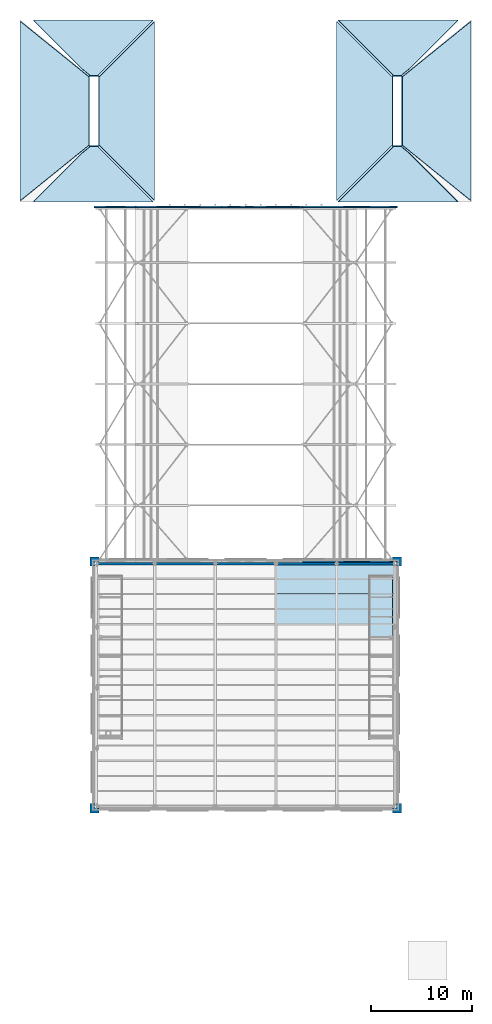
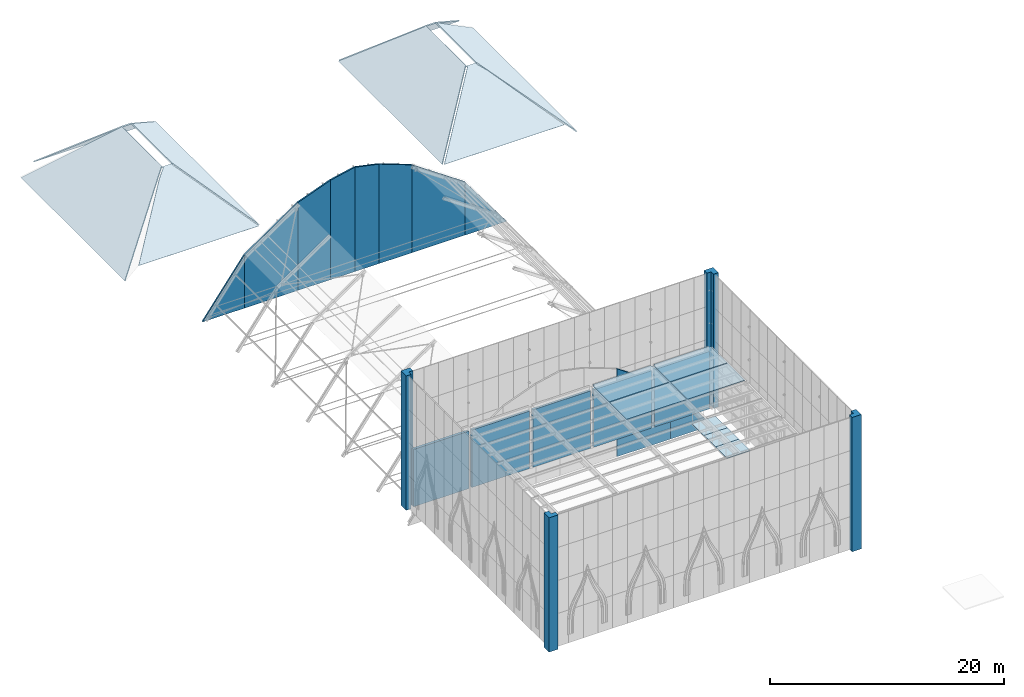
# One storey, part 15 of 43: 15 slabs, 10 plates, 9 walls, 2 elements without a shape of their own.
"""IFC4 building model written with IfcOpenShell, lengths in metres."""

from ifc_helpers import new_model, si_unit, direction, frame, frame_2d, origin, place, context, subcontext, project, spatial, polyline, rectangle, outline, extrude, material, layer, layer_set, type_object, element, aggregate, save


model = new_model("IFC4")

# Units and contexts
model_context = context("Model", 3, precision=1e-05, world=origin(), true_north=direction((0.0, 1.0)))
body_context = subcontext(model_context, "Body", "Model", "MODEL_VIEW")
ifc_project = project(units=[si_unit("LENGTHUNIT", "METRE"), si_unit("AREAUNIT", "SQUARE_METRE"), si_unit("VOLUMEUNIT", "CUBIC_METRE"), si_unit("PLANEANGLEUNIT", "RADIAN"), si_unit("MASSUNIT", "GRAM", prefix="KILO")], contexts=[model_context])

# Site, building, storey
site_placement = place(None, origin())
site = spatial("IfcSite", under=ifc_project, at=site_placement, CompositionType="ELEMENT")
building_placement = place(site_placement, origin())
building = spatial("IfcBuilding", under=site, at=building_placement, Name="Saffron Lane Theatres", CompositionType="ELEMENT")
storey_placement = place(building_placement, frame((0.0, 0.0, 23.0)))
storey = spatial("IfcBuildingStorey", under=building, at=storey_placement, Name="Roof", CompositionType="ELEMENT", Elevation=23.0)

# Slabs
ifc_material_1 = material(Name="Steel Grade 350 chequer plate", Category="steel")
ifc_layer_1 = layer(ifc_material_1, 0.050048828125)
ifc_layer_set_1 = layer_set([ifc_layer_1], Name="Steel Grade 350 chequer plate")
slab_type_1 = type_object("IfcSlabType", Name="ST-GALLERY DECK", PredefinedType="USERDEFINED", material=ifc_layer_set_1)
slab_1_placement = place(storey_placement, frame((0.0, 0.0, -0.050048828125)))
element("IfcSlab", 1, at=slab_1_placement, inside=storey, type_object=slab_type_1, Name="FGE23-6", ObjectType="GALLERY", PredefinedType="USERDEFINED", context=body_context, shape_type="SweptSolid", body=[
    extrude(outline(polyline([(45.199951171875, 47.012451171875), (47.5, 47.012451171875), (47.5, 48.97509765625), (45.199951171875, 48.97509765625), (45.199951171875, 47.012451171875)])), origin(), (0.0, 0.0, 1.0), 0.050048828125),
])
slab_2_placement = place(storey_placement, frame((0.0, 0.0, -0.050048828125)))
element("IfcSlab", 2, at=slab_2_placement, inside=storey, type_object=slab_type_1, Name="FGE23-7", ObjectType="GALLERY", PredefinedType="USERDEFINED", context=body_context, shape_type="SweptSolid", body=[
    extrude(outline(polyline([(45.199951171875, 48.97509765625), (47.5, 48.97509765625), (47.5, 50.9375), (45.199951171875, 50.9375), (45.199951171875, 48.97509765625)])), origin(), (0.0, 0.0, 1.0), 0.050048828125),
])
slab_3_placement = place(storey_placement, frame((0.0, 0.0, -0.050048828125)))
element("IfcSlab", 3, at=slab_3_placement, inside=storey, type_object=slab_type_1, Name="FGE23-8", ObjectType="GALLERY", PredefinedType="USERDEFINED", context=body_context, shape_type="SweptSolid", body=[
    extrude(outline(polyline([(45.199951171875, 50.9375), (47.5, 50.9375), (47.5, 53.0), (45.199951171875, 53.0), (45.199951171875, 50.9375)])), origin(), (0.0, 0.0, 1.0), 0.050048828125),
])
ifc_material_2 = material(Name="Steel Grade 350 grating", Category="steel")
ifc_layer_2 = layer(ifc_material_2, 0.050048828125)
ifc_layer_set_2 = layer_set([ifc_layer_2], Name="Steel Grade 350 grating")
slab_type_2 = type_object("IfcSlabType", Name="ST-GRIDIRON GRATING", PredefinedType="USERDEFINED", material=ifc_layer_set_2)
slab_4_placement = place(storey_placement, frame((0.0, 0.0, 6.449951171875)))
element("IfcSlab", 4, at=slab_4_placement, inside=storey, type_object=slab_type_2, Name="GP31", ObjectType="GRIDIRON", PredefinedType="USERDEFINED", context=body_context, shape_type="SweptSolid", body=[
    extrude(outline(polyline([(41.949951171875, 48.280029296875), (36.050048828125, 48.280029296875), (36.050048828125, 51.219970703125), (41.949951171875, 51.219970703125), (41.949951171875, 48.280029296875)])), origin(), (0.0, 0.0, 1.0), 0.050048828125),
])
slab_5_placement = place(storey_placement, frame((0.0, 0.0, 6.449951171875)))
element("IfcSlab", 5, at=slab_5_placement, inside=storey, type_object=slab_type_2, Name="GP32", ObjectType="GRIDIRON", PredefinedType="USERDEFINED", context=body_context, shape_type="SweptSolid", body=[
    extrude(outline(polyline([(41.949951171875, 51.280029296875), (36.050048828125, 51.280029296875), (36.050048828125, 54.08154296875), (36.160400390625, 54.08154296875), (36.160400390625, 54.219970703125), (41.839599609375, 54.219970703125), (41.839599609375, 54.08154296875), (41.949951171875, 54.08154296875), (41.949951171875, 51.280029296875)])), origin(), (0.0, 0.0, 1.0), 0.050048828125),
])
slab_6_placement = place(storey_placement, frame((0.0, 0.0, 6.449951171875)))
element("IfcSlab", 6, at=slab_6_placement, inside=storey, type_object=slab_type_2, Name="GP39", ObjectType="GRIDIRON", PredefinedType="USERDEFINED", context=body_context, shape_type="SweptSolid", body=[
    extrude(outline(polyline([(47.699951171875, 48.280029296875), (42.050048828125, 48.280029296875), (42.050048828125, 51.219970703125), (47.699951171875, 51.219970703125), (47.699951171875, 48.280029296875)])), origin(), (0.0, 0.0, 1.0), 0.050048828125),
])
slab_7_placement = place(storey_placement, frame((0.0, 0.0, 6.449951171875)))
element("IfcSlab", 7, at=slab_7_placement, inside=storey, type_object=slab_type_2, Name="GP40", ObjectType="GRIDIRON", PredefinedType="USERDEFINED", context=body_context, shape_type="SweptSolid", body=[
    extrude(outline(polyline([(42.050048828125, 54.08154296875), (42.160400390625, 54.08154296875), (42.160400390625, 54.219970703125), (47.589599609375, 54.219970703125), (47.589599609375, 54.08154296875), (47.699951171875, 54.08154296875), (47.699951171875, 51.280029296875), (42.050048828125, 51.280029296875), (42.050048828125, 54.08154296875)])), origin(), (0.0, 0.0, 1.0), 0.050048828125),
])

# Roof, slabs
roof_1_placement = place(storey_placement, origin())
roof_1 = element("IfcRoof", 8, at=roof_1_placement, inside=storey, Name="BK1-R1", PredefinedType="HIP_ROOF")
ifc_material_3 = material(Name="Steel Grade 350 insulated roof deck", Category="steel")
ifc_layer_3 = layer(ifc_material_3, 0.10009765625)
ifc_layer_set_3 = layer_set([ifc_layer_3], Name="Steel Grade 350 insulated roof deck")
slab_type_3 = type_object("IfcSlabType", Name="ST-STUDIO ROOF DECK", PredefinedType="ROOF", material=ifc_layer_set_3)
slab_8_placement = place(storey_placement, frame((16.8271484375, 94.8271484375, 10.0810546875), z_axis=(-1.357444e-06, -0.677108113663, 0.735883552208), x_axis=(0.673032772272, 0.544268173196, 0.500798405642)))
slab_8 = element("IfcSlab", 9, at=slab_8_placement, type_object=slab_type_3, Name="BK1-D1", PredefinedType="ROOF", context=body_context, shape_type="SweptSolid", body=[
    extrude(outline(polyline([(0.0, 0.0), (1.0933194842112883, -2.7755575615628914e-17), (1.129005215823447, 0.11763718049562966), (1.8020379880953095, -0.621975479919407), (1.6833295774296477, -0.6342709288258388), (-0.11920870119165805, -9.615472914179463), (-8.100463790928277, -0.844670728061403), (0.0, 0.0)])), origin(), (0.0, 0.0, -1.0), 0.10009765625),
])
slab_9_placement = place(storey_placement, frame((17.56298828125, 102.57763671875, 10.62841796875), z_axis=(-1.357444e-06, 0.677108113663, 0.735883552208), x_axis=(-0.673032772272, 0.544268173196, -0.500798405642)))
slab_9 = element("IfcSlab", 10, at=slab_9_placement, type_object=slab_type_3, Name="BK1-D2", PredefinedType="ROOF", context=body_context, shape_type="SweptSolid", body=[
    extrude(outline(polyline([(0.0, 0.0), (1.0933194842112883, 2.7755575615628914e-17), (9.193783275139564, -0.8446707280614034), (1.2125281854029466, -9.615472914179463), (-0.5900100932183594, -0.6342709288258388), (-0.7087185038840212, -0.621975479919407), (-0.0356857316121586, 0.11763718049562963), (0.0, 0.0)])), origin(), (0.0, 0.0, -1.0), 0.10009765625),
])
slab_10_placement = place(storey_placement, frame((10.699951171875, 90.128662109375, 4.443115234375), z_axis=(-0.677105339097, 0.0, 0.735886105159), x_axis=(0.0, 1.0, 0.0)))
slab_10 = element("IfcSlab", 11, at=slab_10_placement, type_object=slab_type_3, Name="BK1-D3", PredefinedType="ROOF", context=body_context, shape_type="SweptSolid", body=[
    extrude(outline(polyline([(0.0, 0.0), (17.74267578125, 0.0), (12.293701171875, -9.155068050995919), (12.371337890625, -9.240598466156333), (5.371337890625, -9.240598466156333), (5.448974609375, -9.155068050995919), (0.0, 0.0)])), origin(), (0.0, 0.0, -1.0), 0.10009765625),
])
slab_11_placement = place(storey_placement, frame((24.0, 90.141357421875, 5.639404296875), z_axis=(0.67710258903, 0.0, 0.735888635548), x_axis=(-0.592694037463, 0.592714447583, 0.545347010245)))
slab_11 = element("IfcSlab", 12, at=slab_11_placement, type_object=slab_type_3, Name="BK1-D4", PredefinedType="ROOF", context=body_context, shape_type="SweptSolid", body=[
    extrude(outline(polyline([(0.0, 0.0), (9.160302033328971, 1.3322676295501878e-15), (9.19571619001606, 0.11396798926975871), (13.344717323094759, -5.5239207643073875), (13.225373874513638, -5.523841059761757), (10.501290884051377, -14.269726103763025), (0.0, 0.0)])), origin(), (0.0, 0.0, -1.0), 0.10009765625),
])
aggregate(roof_1, [slab_8, slab_9, slab_10, slab_11])

roof_2_placement = place(storey_placement, origin())
roof_2 = element("IfcRoof", 13, at=roof_2_placement, inside=storey, Name="BK3-R1", PredefinedType="HIP_ROOF")
slab_12_placement = place(storey_placement, frame((47.57080078125, 95.42919921875, 10.635009765625), z_axis=(1.357444e-06, -0.677108113663, 0.735883552208), x_axis=(-0.593252220442, 0.592397964956, 0.545083896347)))
slab_12 = element("IfcSlab", 14, at=slab_12_placement, type_object=slab_type_3, Name="BK3-D1", PredefinedType="ROOF", context=body_context, shape_type="SweptSolid", body=[
    extrude(outline(polyline([(0.0, 0.0), (0.11934347416837715, 6.938893903907228e-18), (-0.4739087462733027, -0.8050166476161683), (-0.5215242398308648, -0.691681999564806), (-1.6090258332352334, -0.8043220408423061), (-9.753407374233008, -0.7987022865248568), (-2.7182413333361044, 8.747702406995685), (0.0, 0.0)])), origin(), (0.0, 0.0, -1.0), 0.10009765625),
])
slab_13_placement = place(storey_placement, frame((47.57080078125, 102.57080078125, 10.635009765625), z_axis=(1.357444e-06, 0.677108113663, 0.735883552208), x_axis=(-0.592714447557, 0.592690488076, -0.545350867792)))
slab_13 = element("IfcSlab", 15, at=slab_13_placement, type_object=slab_type_3, Name="BK3-D2", PredefinedType="ROOF", context=body_context, shape_type="SweptSolid", body=[
    extrude(outline(polyline([(0.0, 0.0), (9.160302033645776, -4.440892098500626e-16), (2.131513249179172, -9.551101089341298), (-0.290628989807531, -1.775227553776282), (-0.505769300008525, -0.703284392278128), (-0.6281286034609003, -0.6914446906642399), (-0.035414155904125826, 0.11396798843612346), (0.0, 0.0)])), origin(), (0.0, 0.0, -1.0), 0.10009765625),
])
slab_14_placement = place(storey_placement, frame((42.0, 90.141357421875, 5.639404296875), z_axis=(-0.67710258903, 0.0, 0.735888635548), x_axis=(0.0, 1.0, 0.0)))
slab_14 = element("IfcSlab", 16, at=slab_14_placement, type_object=slab_type_3, Name="BK3-D3", PredefinedType="ROOF", context=body_context, shape_type="SweptSolid", body=[
    extrude(outline(polyline([(0.0, 0.0), (17.71728515625, 0.0), (12.287841796875, -7.377823401867897), (12.358642578125, -7.473896886484825), (5.358642578125, -7.473896886484825), (5.429443359375, -7.377823401867897), (0.0, 0.0)])), origin(), (0.0, 0.0, -1.0), 0.10009765625),
])
slab_15_placement = place(storey_placement, frame((55.300048828125, 90.128662109375, 4.443115234375), z_axis=(0.677105339097, 0.0, 0.735886105159), x_axis=(-0.632355981713, 0.511451239823, 0.581844946421)))
slab_15 = element("IfcSlab", 17, at=slab_15_placement, type_object=slab_type_3, Name="BK3-D4", PredefinedType="ROOF", context=body_context, shape_type="SweptSolid", body=[
    extrude(outline(polyline([(0.0, 0.0), (10.653947405163013, 4.440892098500626e-16), (10.687737346891572, 0.11045882424578002), (14.267896025649513, -5.904727277190666), (14.154691291800068, -5.881757726697552), (9.074513526090074, -15.24649953738115), (0.0, 0.0)])), origin(), (0.0, 0.0, -1.0), 0.10009765625),
])
aggregate(roof_2, [slab_12, slab_13, slab_14, slab_15])

# Plates
ifc_material_4 = material(Name="Insulated metal panel", Category="metal")
ifc_layer_4 = layer(ifc_material_4, 0.14990234375)
ifc_layer_set_4 = layer_set([ifc_layer_4], Name="Insulated metal panel")
plate_type = type_object("IfcPlateType", Name="ST-VAULT END PANEL", PredefinedType="SHEET", material=ifc_layer_set_4)
plate_1_placement = place(storey_placement, frame((38.61962890625, 54.375, -2.0), z_axis=(0.0, -1.0, 0.0), x_axis=(1.0, 0.0, 0.0)))
element("IfcPlate", 18, at=plate_1_placement, inside=storey, type_object=plate_type, Name="VG7", PredefinedType="SHEET", context=body_context, shape_type="SweptSolid", body=[
    extrude(outline(polyline([(0.0, 0.0), (5.260986328125, 0.0), (5.260986328125, 5.53955078125), (0.0, 9.1640625), (0.0, 0.0)])), origin(), (0.0, 0.0, -1.0), 0.14990234375),
])
plate_2_placement = place(storey_placement, frame((43.880615234375, 54.375, -2.0), z_axis=(0.0, -1.0, 0.0), x_axis=(1.0, 0.0, 0.0)))
element("IfcPlate", 19, at=plate_2_placement, inside=storey, type_object=plate_type, Name="VG8", PredefinedType="SHEET", context=body_context, shape_type="SweptSolid", body=[
    extrude(outline(polyline([(0.0, 0.0), (4.1005859375, 0.0), (4.1005859375, 0.030029296875), (0.0, 5.53955078125), (0.0, 0.0)])), origin(), (0.0, 0.0, -1.0), 0.14990234375),
])
plate_3_placement = place(storey_placement, frame((18.018798828125, 89.449951171875, -2.0), z_axis=(0.0, -1.0, 0.0), x_axis=(1.0, 0.0, 0.0)))
element("IfcPlate", 20, at=plate_3_placement, inside=storey, type_object=plate_type, Name="VG9", PredefinedType="SHEET", context=body_context, shape_type="SweptSolid", body=[
    extrude(outline(polyline([(0.0, 0.0), (4.1005859375, 0.0), (4.1005859375, 5.53955078125), (0.0, 0.030029296875), (0.0, 0.0)])), origin(), (0.0, 0.0, -1.0), 0.14990234375),
])
plate_4_placement = place(storey_placement, frame((22.119384765625, 89.449951171875, -2.0), z_axis=(0.0, -1.0, 0.0), x_axis=(1.0, 0.0, 0.0)))
element("IfcPlate", 21, at=plate_4_placement, inside=storey, type_object=plate_type, Name="VG10", PredefinedType="SHEET", context=body_context, shape_type="SweptSolid", body=[
    extrude(outline(polyline([(0.0, 0.0), (5.260986328125, 0.0), (5.260986328125, 9.1640625), (0.0, 5.53955078125), (0.0, 0.0)])), origin(), (0.0, 0.0, -1.0), 0.14990234375),
])
plate_5_placement = place(storey_placement, frame((27.38037109375, 89.449951171875, -2.0), z_axis=(0.0, -1.0, 0.0), x_axis=(1.0, 0.0, 0.0)))
element("IfcPlate", 22, at=plate_5_placement, inside=storey, type_object=plate_type, Name="VG11", PredefinedType="SHEET", context=body_context, shape_type="SweptSolid", body=[
    extrude(outline(polyline([(0.0, 0.0), (3.243408203125, 0.0), (3.243408203125, 10.374267578125), (0.0, 9.1640625), (0.0, 0.0)])), origin(), (0.0, 0.0, -1.0), 0.14990234375),
])
plate_6_placement = place(storey_placement, frame((30.623779296875, 89.449951171875, -2.0), z_axis=(0.0, -1.0, 0.0), x_axis=(1.0, 0.0, 0.0)))
element("IfcPlate", 23, at=plate_6_placement, inside=storey, type_object=plate_type, Name="VG12", PredefinedType="SHEET", context=body_context, shape_type="SweptSolid", body=[
    extrude(outline(polyline([(0.0, 0.0), (2.376220703125, 0.0), (2.376220703125, 10.88330078125), (0.0, 10.374267578125), (0.0, 0.0)])), origin(), (0.0, 0.0, -1.0), 0.14990234375),
])
plate_7_placement = place(storey_placement, frame((33.0, 89.449951171875, -2.0), z_axis=(0.0, -1.0, 0.0), x_axis=(1.0, 0.0, 0.0)))
element("IfcPlate", 24, at=plate_7_placement, inside=storey, type_object=plate_type, Name="VG13", PredefinedType="SHEET", context=body_context, shape_type="SweptSolid", body=[
    extrude(outline(polyline([(0.0, 0.0), (2.376220703125, 0.0), (2.376220703125, 10.374267578125), (0.0, 10.88330078125), (0.0, 0.0)])), origin(), (0.0, 0.0, -1.0), 0.14990234375),
])
plate_8_placement = place(storey_placement, frame((35.376220703125, 89.449951171875, -2.0), z_axis=(0.0, -1.0, 0.0), x_axis=(1.0, 0.0, 0.0)))
element("IfcPlate", 25, at=plate_8_placement, inside=storey, type_object=plate_type, Name="VG14", PredefinedType="SHEET", context=body_context, shape_type="SweptSolid", body=[
    extrude(outline(polyline([(0.0, 0.0), (3.243408203125, 0.0), (3.243408203125, 9.1640625), (0.0, 10.374267578125), (0.0, 0.0)])), origin(), (0.0, 0.0, -1.0), 0.14990234375),
])
plate_9_placement = place(storey_placement, frame((38.61962890625, 89.449951171875, -2.0), z_axis=(0.0, -1.0, 0.0), x_axis=(1.0, 0.0, 0.0)))
element("IfcPlate", 26, at=plate_9_placement, inside=storey, type_object=plate_type, Name="VG15", PredefinedType="SHEET", context=body_context, shape_type="SweptSolid", body=[
    extrude(outline(polyline([(0.0, 0.0), (5.260986328125, 0.0), (5.260986328125, 5.53955078125), (0.0, 9.1640625), (0.0, 0.0)])), origin(), (0.0, 0.0, -1.0), 0.14990234375),
])
plate_10_placement = place(storey_placement, frame((43.880615234375, 89.449951171875, -2.0), z_axis=(0.0, -1.0, 0.0), x_axis=(1.0, 0.0, 0.0)))
element("IfcPlate", 27, at=plate_10_placement, inside=storey, type_object=plate_type, Name="VG16", PredefinedType="SHEET", context=body_context, shape_type="SweptSolid", body=[
    extrude(outline(polyline([(0.0, 0.0), (4.1005859375, 0.0), (4.1005859375, 0.030029296875), (0.0, 5.53955078125), (0.0, 0.0)])), origin(), (0.0, 0.0, -1.0), 0.14990234375),
])

# Walls
ifc_material_5 = material(Name="Insulated metal panel", Category="metal")
ifc_layer_5 = layer(ifc_material_5, 0.25)
ifc_layer_set_5 = layer_set([ifc_layer_5], Name="Insulated metal panel")
wall_type_1 = type_object("IfcWallType", Name="ST-INSULATED END WALL", PredefinedType="SOLIDWALL", material=ifc_layer_set_5)
wall_1_placement = place(storey_placement, frame((18.405517578125, 54.25, 0.0), z_axis=(0.0, 0.0, 1.0), x_axis=(1.0, 0.0, 0.0)))
element("IfcWall", 28, at=wall_1_placement, inside=storey, type_object=wall_type_1, Name="VE1", PredefinedType="SOLIDWALL", context=body_context, shape_type="SweptSolid", body=[
    extrude(rectangle(XDim=5.43896484375, YDim=0.25, at=frame_2d((2.719482421875, 0.0))), origin(), (0.0, 0.0, 1.0), 5.989990234375),
])
for number, where, z_axis, x_axis, name in (
    (29, (24.155517578125, 54.25, 0.0), (0.0, 0.0, 1.0), (1.0, 0.0, 0.0), "VE2"),
    (30, (30.155517578125, 54.25, 0.0), (0.0, 0.0, 1.0), (1.0, 0.0, 0.0), "VE3"),
    (31, (36.155517578125, 54.25, 0.0), (0.0, 0.0, 1.0), (1.0, 0.0, 0.0), "VE4"),
):
    element("IfcWall", number, at=place(storey_placement, frame(where, z_axis=z_axis, x_axis=x_axis)), inside=storey, type_object=wall_type_1, Name=name, PredefinedType="SOLIDWALL", context=body_context, shape_type="SweptSolid", body=[
        extrude(rectangle(XDim=5.68896484375, YDim=0.25, at=frame_2d((2.844482421875, 0.0))), origin(), (0.0, 0.0, 1.0), 5.989990234375),
    ])
wall_2_placement = place(storey_placement, frame((42.155517578125, 54.25, 0.0), z_axis=(0.0, 0.0, 1.0), x_axis=(1.0, 0.0, 0.0)))
element("IfcWall", 32, at=wall_2_placement, inside=storey, type_object=wall_type_1, Name="VE5", PredefinedType="SOLIDWALL", context=body_context, shape_type="SweptSolid", body=[
    extrude(rectangle(XDim=5.43896484375, YDim=0.25, at=frame_2d((2.719482421875, 0.0))), origin(), (0.0, 0.0, 1.0), 5.989990234375),
])
ifc_material_6 = material(Name="Masonry pale clay brick", Category="masonry")
ifc_layer_6 = layer(ifc_material_6, 0.89990234375)
ifc_layer_set_6 = layer_set([ifc_layer_6], Name="Masonry pale clay brick")
wall_type_2 = type_object("IfcWallType", Name="ST-TOWER PIER", PredefinedType="SOLIDWALL", material=ifc_layer_set_6)
wall_3_placement = place(storey_placement, origin())
element("IfcWall", 33, at=wall_3_placement, inside=storey, type_object=wall_type_2, Name="TV1", PredefinedType="SOLIDWALL", context=body_context, shape_type="SweptSolid", body=[
    extrude(outline(polyline([(18.08447265625, 30.5), (17.60009765625, 30.5), (17.60009765625, 29.60009765625), (18.5, 29.60009765625), (18.5, 30.076416015625), (18.08447265625, 30.076416015625), (18.08447265625, 30.5)])), origin(), (0.0, 0.0, 1.0), 14.0),
])
wall_4_placement = place(storey_placement, origin())
element("IfcWall", 34, at=wall_4_placement, inside=storey, type_object=wall_type_2, Name="TV2", PredefinedType="SOLIDWALL", context=body_context, shape_type="SweptSolid", body=[
    extrude(outline(polyline([(47.91552734375, 30.5), (48.39990234375, 30.5), (48.39990234375, 29.60009765625), (47.5, 29.60009765625), (47.5, 30.076416015625), (47.91552734375, 30.076416015625), (47.91552734375, 30.5)])), origin(), (0.0, 0.0, 1.0), 14.0),
])
wall_5_placement = place(storey_placement, origin())
element("IfcWall", 35, at=wall_5_placement, inside=storey, type_object=wall_type_2, Name="TV3", PredefinedType="SOLIDWALL", context=body_context, shape_type="SweptSolid", body=[
    extrude(outline(polyline([(18.08447265625, 54.0), (17.60009765625, 54.0), (17.60009765625, 54.89990234375), (18.5, 54.89990234375), (18.5, 54.423583984375), (18.08447265625, 54.423583984375), (18.08447265625, 54.0)])), origin(), (0.0, 0.0, 1.0), 14.0),
])
wall_6_placement = place(storey_placement, origin())
element("IfcWall", 36, at=wall_6_placement, inside=storey, type_object=wall_type_2, Name="TV4", PredefinedType="SOLIDWALL", context=body_context, shape_type="SweptSolid", body=[
    extrude(outline(polyline([(47.91552734375, 54.0), (48.39990234375, 54.0), (48.39990234375, 54.89990234375), (47.5, 54.89990234375), (47.5, 54.423583984375), (47.91552734375, 54.423583984375), (47.91552734375, 54.0)])), origin(), (0.0, 0.0, 1.0), 14.0),
])

save(model, "model.ifc")
